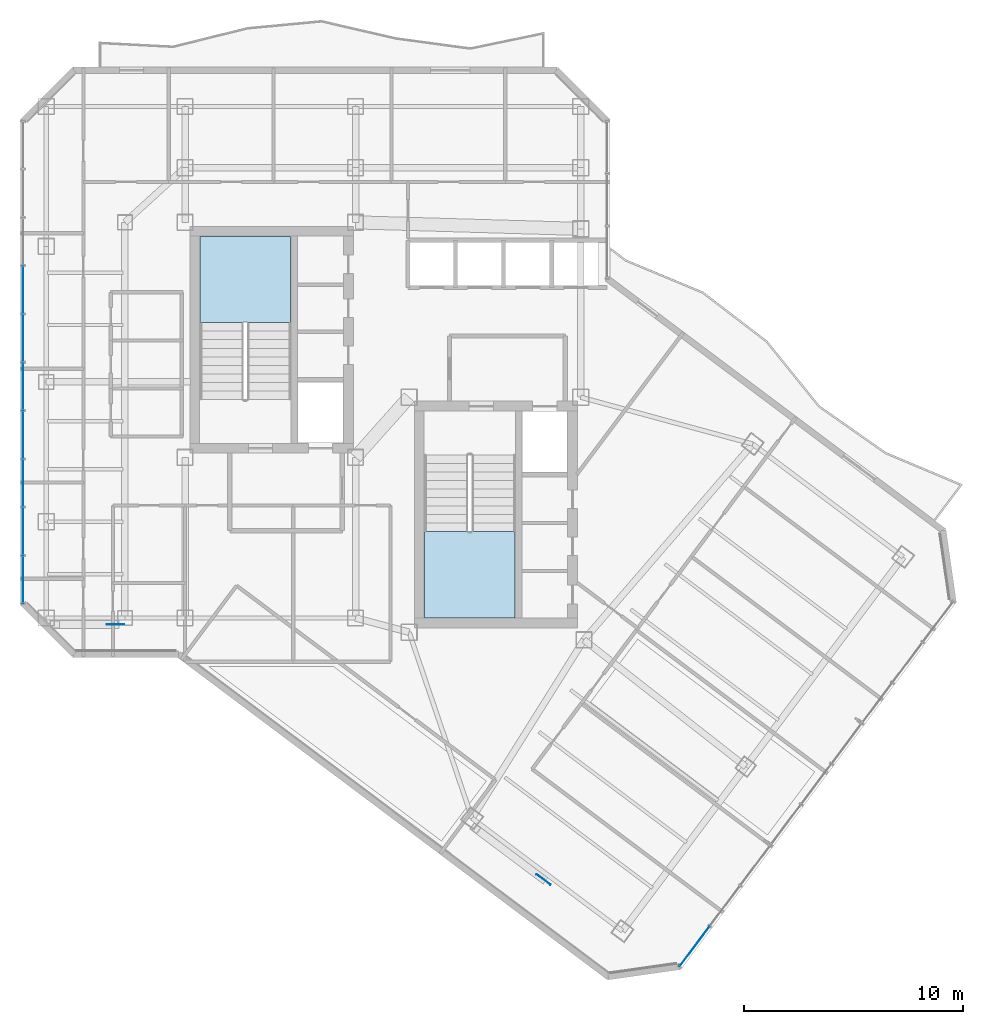
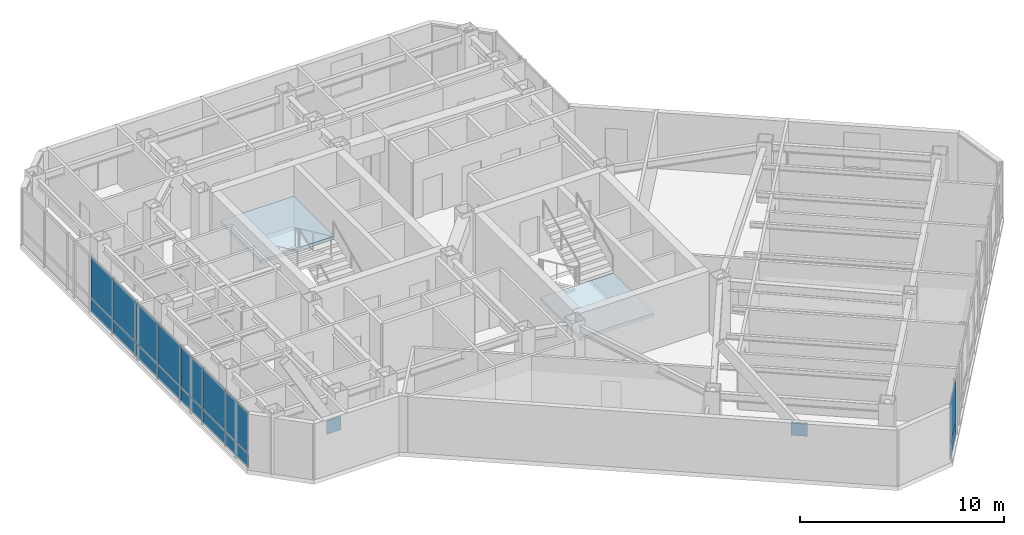
# One storey, part 18 of 26: 18 plates, 2 slabs, 4 elements without a shape of their own.
"""IFC4 building model written with IfcOpenShell, lengths in metres."""

from ifc_helpers import new_model, si_unit, direction, frame, origin, origin_2d, place, context, subcontext, project, spatial, polyline, rectangle, outline, extrude, material, layer, layer_set, type_object, element, aggregate, save


model = new_model("IFC4")

# Units and contexts
model_context = context("Model", 3, precision=1e-05, world=origin(), true_north=direction((0.0, 1.0)))
body_context = subcontext(model_context, "Body", "Model", "MODEL_VIEW")
ifc_project = project(units=[si_unit("LENGTHUNIT", "METRE"), si_unit("AREAUNIT", "SQUARE_METRE"), si_unit("VOLUMEUNIT", "CUBIC_METRE"), si_unit("PLANEANGLEUNIT", "RADIAN"), si_unit("MASSUNIT", "GRAM", prefix="KILO")], contexts=[model_context])

# Site, building, storey
site_placement = place(None, origin())
site = spatial("IfcSite", under=ifc_project, at=site_placement, CompositionType="ELEMENT")
building_placement = place(site_placement, origin())
building = spatial("IfcBuilding", under=site, at=building_placement, Name="Hatsunagi Terrace Concourse", CompositionType="ELEMENT")
storey_placement = place(building_placement, frame((0.0, 0.0, 195.14990234375)))
storey = spatial("IfcBuildingStorey", under=building, at=storey_placement, Name="L51", CompositionType="ELEMENT", Elevation=195.14990234375)

# Curtain wall, plate
ifc_material_1 = material(Name="Anodised Aluminium Alloy 6063-T5", Category="aluminium")
ifc_layer_1 = layer(ifc_material_1, 0.199951171875)
ifc_layer_set_1 = layer_set([ifc_layer_1], Name="OfficeZone2_CW04")
curtain_wall_type = type_object("IfcCurtainWallType", Name="OfficeZone2_CW04", PredefinedType="NOTDEFINED", material=ifc_layer_set_1)
curtain_wall_1_placement = place(storey_placement, origin())
curtain_wall_1 = element("IfcCurtainWall", 1, at=curtain_wall_1_placement, inside=storey, type_object=curtain_wall_type, Name="Unitised Curtain Wall CW-04 CW-L51-03", PredefinedType="NOTDEFINED")
ifc_material_2 = material(Name="Warm Terracotta Ceramic Spandrel Panel", Category="masonry")
ifc_layer_2 = layer(ifc_material_2, 0.031982421875)
ifc_layer_set_2 = layer_set([ifc_layer_2], Name="CurtainWallSpandrelPanel_32")
plate_type_1 = type_object("IfcPlateType", Name="CurtainWallSpandrelPanel_32", PredefinedType="SHEET", material=ifc_layer_set_2)
plate_1_placement = place(storey_placement, frame((48.85888671875, 10.177978515625, 0.030029296875), z_axis=(0.0, 0.0, 1.0), x_axis=(-0.599969314634, -0.800023013105, 0.0)))
plate_1 = element("IfcPlate", 2, at=plate_1_placement, type_object=plate_type_1, Name="Terracotta Spandrel Panel SPN-01", PredefinedType="SHEET", context=body_context, shape_type="SweptSolid", body=[
    extrude(rectangle(XDim=2.264892578125, YDim=0.031982421875, at=origin_2d()), origin(), (0.0, 0.0, 1.0), 0.7900390625),
])

# Curtain wall, plates
curtain_wall_2_placement = place(storey_placement, origin())
curtain_wall_2 = element("IfcCurtainWall", 3, at=curtain_wall_2_placement, inside=storey, type_object=curtain_wall_type, Name="Unitised Curtain Wall CW-04 CW-L51-08", PredefinedType="NOTDEFINED")
plate_2_placement = place(storey_placement, frame((18.139892578125, 26.9619140625, 0.030029296875), z_axis=(0.0, 0.0, 1.0), x_axis=(0.0, 1.0, 0.0)))
plate_2 = element("IfcPlate", 4, at=plate_2_placement, type_object=plate_type_1, Name="Terracotta Spandrel Panel SPN-01", PredefinedType="SHEET", context=body_context, shape_type="SweptSolid", body=[
    extrude(rectangle(XDim=2.153076171875, YDim=0.031982421875, at=origin_2d()), origin(), (0.0, 0.0, 1.0), 0.7900390625),
])
plate_3_placement = place(storey_placement, frame((18.139892578125, 29.1708984375, 0.030029296875), z_axis=(0.0, 0.0, 1.0), x_axis=(0.0, 1.0, 0.0)))
plate_3 = element("IfcPlate", 5, at=plate_3_placement, type_object=plate_type_1, Name="Terracotta Spandrel Panel SPN-01", PredefinedType="SHEET", context=body_context, shape_type="SweptSolid", body=[
    extrude(rectangle(XDim=2.153076171875, YDim=0.031982421875, at=origin_2d()), origin(), (0.0, 0.0, 1.0), 0.7900390625),
])
plate_4_placement = place(storey_placement, frame((18.139892578125, 31.37890625, 0.030029296875), z_axis=(0.0, 0.0, 1.0), x_axis=(0.0, 1.0, 0.0)))
plate_4 = element("IfcPlate", 6, at=plate_4_placement, type_object=plate_type_1, Name="Terracotta Spandrel Panel SPN-01", PredefinedType="SHEET", context=body_context, shape_type="SweptSolid", body=[
    extrude(rectangle(XDim=2.153076171875, YDim=0.031982421875, at=origin_2d()), origin(), (0.0, 0.0, 1.0), 0.7900390625),
])
plate_5_placement = place(storey_placement, frame((18.139892578125, 33.5869140625, 0.030029296875), z_axis=(0.0, 0.0, 1.0), x_axis=(0.0, 1.0, 0.0)))
plate_5 = element("IfcPlate", 7, at=plate_5_placement, type_object=plate_type_1, Name="Terracotta Spandrel Panel SPN-01", PredefinedType="SHEET", context=body_context, shape_type="SweptSolid", body=[
    extrude(rectangle(XDim=2.153076171875, YDim=0.031982421875, at=origin_2d()), origin(), (0.0, 0.0, 1.0), 0.7900390625),
])
plate_6_placement = place(storey_placement, frame((18.139892578125, 35.7958984375, 0.030029296875), z_axis=(0.0, 0.0, 1.0), x_axis=(0.0, 1.0, 0.0)))
plate_6 = element("IfcPlate", 8, at=plate_6_placement, type_object=plate_type_1, Name="Terracotta Spandrel Panel SPN-01", PredefinedType="SHEET", context=body_context, shape_type="SweptSolid", body=[
    extrude(rectangle(XDim=2.153076171875, YDim=0.031982421875, at=origin_2d()), origin(), (0.0, 0.0, 1.0), 0.7900390625),
])
plate_7_placement = place(storey_placement, frame((18.139892578125, 38.00390625, 0.030029296875), z_axis=(0.0, 0.0, 1.0), x_axis=(0.0, 1.0, 0.0)))
plate_7 = element("IfcPlate", 9, at=plate_7_placement, type_object=plate_type_1, Name="Terracotta Spandrel Panel SPN-01", PredefinedType="SHEET", context=body_context, shape_type="SweptSolid", body=[
    extrude(rectangle(XDim=2.153076171875, YDim=0.031982421875, at=origin_2d()), origin(), (0.0, 0.0, 1.0), 0.7900390625),
])
plate_8_placement = place(storey_placement, frame((18.139892578125, 40.212890625, 0.030029296875), z_axis=(0.0, 0.0, 1.0), x_axis=(0.0, 1.0, 0.0)))
plate_8 = element("IfcPlate", 10, at=plate_8_placement, type_object=plate_type_1, Name="Terracotta Spandrel Panel SPN-01", PredefinedType="SHEET", context=body_context, shape_type="SweptSolid", body=[
    extrude(rectangle(XDim=2.153076171875, YDim=0.031982421875, at=origin_2d()), origin(), (0.0, 0.0, 1.0), 0.7900390625),
])

# Plate
ifc_material_3 = material(Name="Low-E Double Insulating Glass 28mm", Category="glass")
ifc_layer_3 = layer(ifc_material_3, 0.028076171875)
ifc_layer_set_3 = layer_set([ifc_layer_3], Name="CurtainWallVisionGlass_28")
plate_type_2 = type_object("IfcPlateType", Name="CurtainWallVisionGlass_28", PredefinedType="CURTAIN_PANEL", material=ifc_layer_set_3)
plate_9_placement = place(storey_placement, frame((48.85888671875, 10.177978515625, 0.880126953125), z_axis=(0.0, 0.0, 1.0), x_axis=(-0.599969314634, -0.800023013105, 0.0)))
plate_9 = element("IfcPlate", 11, at=plate_9_placement, type_object=plate_type_2, Name="Low-E Vision Glass Panel GLZ-01", PredefinedType="CURTAIN_PANEL", context=body_context, shape_type="SweptSolid", body=[
    extrude(rectangle(XDim=2.264892578125, YDim=0.028076171875, at=origin_2d()), origin(), (0.0, 0.0, 1.0), 2.43994140625),
])

aggregate(curtain_wall_1, [plate_1, plate_9])

plate_10_placement = place(storey_placement, frame((18.139892578125, 26.9619140625, 0.880126953125), z_axis=(0.0, 0.0, 1.0), x_axis=(0.0, 1.0, 0.0)))
plate_10 = element("IfcPlate", 12, at=plate_10_placement, type_object=plate_type_2, Name="Low-E Vision Glass Panel GLZ-01", PredefinedType="CURTAIN_PANEL", context=body_context, shape_type="SweptSolid", body=[
    extrude(rectangle(XDim=2.153076171875, YDim=0.028076171875, at=origin_2d()), origin(), (0.0, 0.0, 1.0), 2.43994140625),
])

plate_11_placement = place(storey_placement, frame((18.139892578125, 29.1708984375, 0.880126953125), z_axis=(0.0, 0.0, 1.0), x_axis=(0.0, 1.0, 0.0)))
plate_11 = element("IfcPlate", 13, at=plate_11_placement, type_object=plate_type_2, Name="Low-E Vision Glass Panel GLZ-01", PredefinedType="CURTAIN_PANEL", context=body_context, shape_type="SweptSolid", body=[
    extrude(rectangle(XDim=2.153076171875, YDim=0.028076171875, at=origin_2d()), origin(), (0.0, 0.0, 1.0), 2.43994140625),
])

plate_12_placement = place(storey_placement, frame((18.139892578125, 31.37890625, 0.880126953125), z_axis=(0.0, 0.0, 1.0), x_axis=(0.0, 1.0, 0.0)))
plate_12 = element("IfcPlate", 14, at=plate_12_placement, type_object=plate_type_2, Name="Low-E Vision Glass Panel GLZ-01", PredefinedType="CURTAIN_PANEL", context=body_context, shape_type="SweptSolid", body=[
    extrude(rectangle(XDim=2.153076171875, YDim=0.028076171875, at=origin_2d()), origin(), (0.0, 0.0, 1.0), 2.43994140625),
])

plate_13_placement = place(storey_placement, frame((18.139892578125, 33.5869140625, 0.880126953125), z_axis=(0.0, 0.0, 1.0), x_axis=(0.0, 1.0, 0.0)))
plate_13 = element("IfcPlate", 15, at=plate_13_placement, type_object=plate_type_2, Name="Low-E Vision Glass Panel GLZ-01", PredefinedType="CURTAIN_PANEL", context=body_context, shape_type="SweptSolid", body=[
    extrude(rectangle(XDim=2.153076171875, YDim=0.028076171875, at=origin_2d()), origin(), (0.0, 0.0, 1.0), 2.43994140625),
])

plate_14_placement = place(storey_placement, frame((18.139892578125, 35.7958984375, 0.880126953125), z_axis=(0.0, 0.0, 1.0), x_axis=(0.0, 1.0, 0.0)))
plate_14 = element("IfcPlate", 16, at=plate_14_placement, type_object=plate_type_2, Name="Low-E Vision Glass Panel GLZ-01", PredefinedType="CURTAIN_PANEL", context=body_context, shape_type="SweptSolid", body=[
    extrude(rectangle(XDim=2.153076171875, YDim=0.028076171875, at=origin_2d()), origin(), (0.0, 0.0, 1.0), 2.43994140625),
])

plate_15_placement = place(storey_placement, frame((18.139892578125, 38.00390625, 0.880126953125), z_axis=(0.0, 0.0, 1.0), x_axis=(0.0, 1.0, 0.0)))
plate_15 = element("IfcPlate", 17, at=plate_15_placement, type_object=plate_type_2, Name="Low-E Vision Glass Panel GLZ-01", PredefinedType="CURTAIN_PANEL", context=body_context, shape_type="SweptSolid", body=[
    extrude(rectangle(XDim=2.153076171875, YDim=0.028076171875, at=origin_2d()), origin(), (0.0, 0.0, 1.0), 2.43994140625),
])

plate_16_placement = place(storey_placement, frame((18.139892578125, 40.212890625, 0.880126953125), z_axis=(0.0, 0.0, 1.0), x_axis=(0.0, 1.0, 0.0)))
plate_16 = element("IfcPlate", 18, at=plate_16_placement, type_object=plate_type_2, Name="Low-E Vision Glass Panel GLZ-01", PredefinedType="CURTAIN_PANEL", context=body_context, shape_type="SweptSolid", body=[
    extrude(rectangle(XDim=2.153076171875, YDim=0.028076171875, at=origin_2d()), origin(), (0.0, 0.0, 1.0), 2.43994140625),
])

aggregate(curtain_wall_2, [plate_2, plate_10, plate_3, plate_11, plate_4, plate_12, plate_5, plate_13, plate_6, plate_14, plate_7, plate_15, plate_8, plate_16])

# Stair, slab
ifc_material_4 = material(Name="Concrete Fc42", Category="concrete")
stair_type = type_object("IfcStairType", Name="DoglegExitStair_Tower2000_20R_180", PredefinedType="HALF_TURN_STAIR", material=ifc_material_4)
stair_1_placement = place(storey_placement, origin())
stair_1 = element("IfcStair", 19, at=stair_1_placement, inside=storey, type_object=stair_type, Name="L51 Core A Protected Exit Stair ST-A", PredefinedType="HALF_TURN_STAIR")
ifc_material_5 = material(Name="Concrete Fc42", Category="concrete")
ifc_layer_4 = layer(ifc_material_5, 0.199951171875)
ifc_layer_set_4 = layer_set([ifc_layer_4], Name="DoglegStairLanding_Tower2000")
slab_type = type_object("IfcSlabType", Name="DoglegStairLanding_Tower2000", PredefinedType="LANDING", material=ifc_layer_set_4)
slab_1_placement = place(storey_placement, frame((0.0, 0.0, 1.60009765625)))
slab_1 = element("IfcSlab", 20, at=slab_1_placement, type_object=slab_type, Name="ST-A landing 1", PredefinedType="LANDING", context=body_context, shape_type="SweptSolid", body=[
    extrude(outline(polyline([(30.3798828125, 38.7099609375), (30.3798828125, 42.659912109375), (26.22998046875, 42.659912109375), (26.22998046875, 38.7099609375), (30.3798828125, 38.7099609375)])), origin(), (0.0, 0.0, 1.0), 0.199951171875),
])
aggregate(stair_1, [slab_1])

stair_2_placement = place(storey_placement, origin())
stair_2 = element("IfcStair", 21, at=stair_2_placement, inside=storey, type_object=stair_type, Name="L51 Core B Protected Exit Stair ST-B", PredefinedType="HALF_TURN_STAIR")
slab_2_placement = place(storey_placement, frame((0.0, 0.0, 1.60009765625)))
slab_2 = element("IfcSlab", 22, at=slab_2_placement, type_object=slab_type, Name="ST-B landing 1", PredefinedType="LANDING", context=body_context, shape_type="SweptSolid", body=[
    extrude(outline(polyline([(36.5, 29.14990234375), (36.5, 25.199951171875), (40.64990234375, 25.199951171875), (40.64990234375, 29.14990234375), (36.5, 29.14990234375)])), origin(), (0.0, 0.0, 1.0), 0.199951171875),
])
aggregate(stair_2, [slab_2])

# Plates
ifc_material_6 = material(Name="Steel SN490C", Category="steel")
ifc_layer_5 = layer(ifc_material_6, 0.031982421875)
ifc_layer_set_5 = layer_set([ifc_layer_5], Name="XBraceNodeCapPlate_32")
plate_type_3 = type_object("IfcPlateType", Name="XBraceNodeCapPlate_32", PredefinedType="USERDEFINED", material=ifc_layer_set_5)
for number, where, z_axis, x_axis, name in (
    (23, (22.375, 24.89990234375, 1.27490234375), (0.0, 0.0, 1.0), (1.0, 0.0, 0.0), "X-Brace Crossing Gusset Node Plate GP-02 XB-L50-W1"),
    (24, (41.951904296875, 13.236083984375, 1.27490234375), (0.0, 0.0, 1.0), (0.799999996291, -0.600000004945, 0.0), "X-Brace Crossing Gusset Node Plate GP-02 XB-L50-SE"),
):
    element("IfcPlate", number, at=place(storey_placement, frame(where, z_axis=z_axis, x_axis=x_axis)), inside=storey, type_object=plate_type_3, Name=name, ObjectType="GUSSET_PLATE", PredefinedType="USERDEFINED", context=body_context, shape_type="SweptSolid", body=[
        extrude(rectangle(XDim=0.800048828125, YDim=0.031982421875, at=origin_2d()), origin(), (0.0, 0.0, 1.0), 0.800048828125),
    ])

save(model, "model.ifc")
